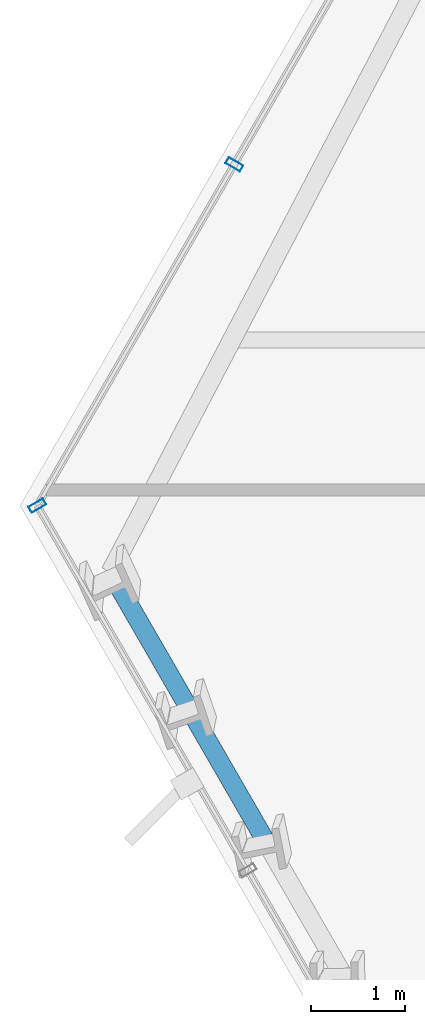
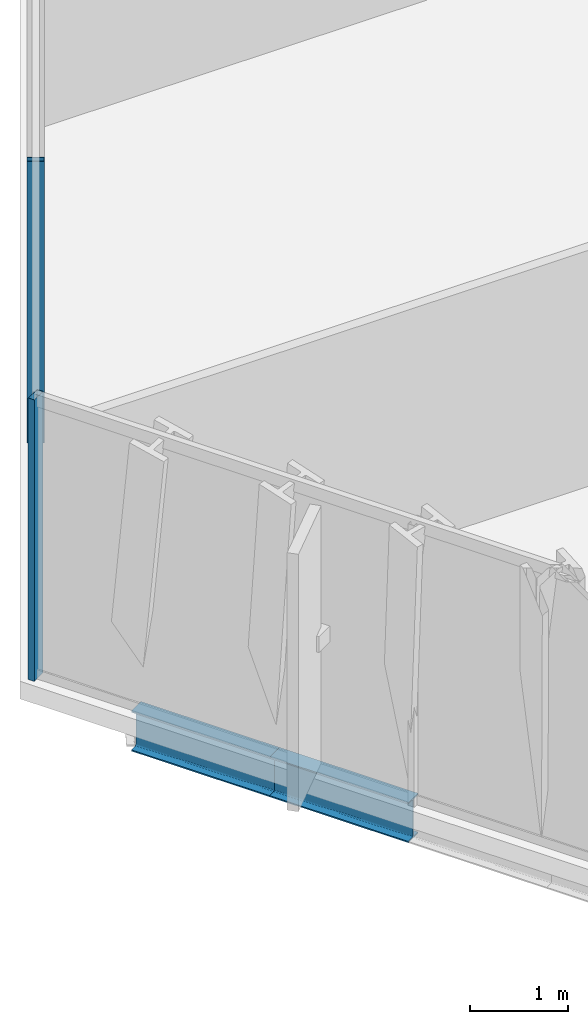
# One storey, part 5 of 31: 2 beams, 2 members, 2 elements without a shape of their own.
"""IFC4 building model written with IfcOpenShell, lengths in metres."""

import ifcopenshell
import ifcopenshell.guid

model = None  # the IFC model being written
_history = None  # IfcOwnerHistory: only IFC2X3 demands one
_inside = {}  # id of a spatial element -> (the spatial element, [elements in it])
_under = {}  # id of a project, library or spatial element -> (it, [spatial elements below it])
_declared = {}  # id of a project -> (the project, [libraries it declares])
_typed = {}  # id of a type object -> (the type object, [elements of that type])
_made_of = {}  # id of a material, layer set ... -> (it, [elements and type objects made of it])


def new_model(schema):
    """Start an empty IFC model of exactly this schema.

    Asked for "IFC4X3", IfcOpenShell would pick the latest addendum, in which some entities
    have other attributes; the version numbers below select the first issue.
    IFC2X3 requires an IfcOwnerHistory on every rooted entity: one is made here for all.
    """
    global model, _history
    if schema == "IFC4X3":
        model = ifcopenshell.file(schema_version=(4, 3, 0, 0))
    else:
        model = ifcopenshell.file(schema=schema)
    _inside.clear()
    _under.clear()
    _declared.clear()
    _typed.clear()
    _made_of.clear()
    _history = None
    if model.schema == "IFC2X3":
        org = make("IfcOrganization", Name="unknown")
        user = make(
            "IfcPersonAndOrganization",
            ThePerson=make("IfcPerson", FamilyName="unknown"),
            TheOrganization=org,
        )
        app = make(
            "IfcApplication",
            ApplicationDeveloper=org,
            Version="unknown",
            ApplicationFullName="unknown",
            ApplicationIdentifier="unknown",
        )
        _history = make(
            "IfcOwnerHistory",
            OwningUser=user,
            OwningApplication=app,
            ChangeAction="ADDED",
            CreationDate=0,
        )
    return model


def make(cls, **values):
    """One entity of the class cls with the attributes given. An attribute that is None is left unset."""
    return model.create_entity(
        cls, **{name: value for name, value in values.items() if value is not None}
    )


def rooted(cls, **values):
    """An entity with a GlobalId (a new one), such as an element, a storey or a relation."""
    return make(cls, GlobalId=ifcopenshell.guid.new(), OwnerHistory=_history, **values)


def si_unit(unit_type, name, prefix=None):
    """IfcSIUnit, for example si_unit("LENGTHUNIT", "METRE", prefix="MILLI")."""
    return make("IfcSIUnit", UnitType=unit_type, Prefix=prefix, Name=name)


def assignment(units):
    """IfcUnitAssignment: the units of a project."""
    return None if units is None else make("IfcUnitAssignment", Units=units)


def point(xyz):
    """IfcCartesianPoint."""
    return None if xyz is None else make("IfcCartesianPoint", Coordinates=xyz)


def direction(xyz):
    """IfcDirection."""
    return None if xyz is None else make("IfcDirection", DirectionRatios=xyz)


def frame(location, z_axis=None, x_axis=None):
    """IfcAxis2Placement3D, a coordinate frame: its origin and axes. An axis left out is left unset."""
    return make(
        "IfcAxis2Placement3D",
        Location=point(location),
        Axis=direction(z_axis),
        RefDirection=direction(x_axis),
    )


def frame_2d(location, x_axis=None):
    """IfcAxis2Placement2D, a coordinate frame in the plane: its origin and x axis."""
    return make(
        "IfcAxis2Placement2D", Location=point(location), RefDirection=direction(x_axis)
    )


def origin():
    """The frame at (0, 0, 0) with its axes left unset."""
    return frame((0.0, 0.0, 0.0))


def origin_2d():
    """The frame at (0, 0) in the plane with its x axis left unset."""
    return frame_2d((0.0, 0.0))


def place(relative_to, where):
    """IfcLocalPlacement: puts the frame where relative to a parent placement (None: the world)."""
    return make(
        "IfcLocalPlacement", PlacementRelTo=relative_to, RelativePlacement=where
    )


def context(
    kind, dimensions, precision=None, world=None, true_north=None, identifier=None
):
    """IfcGeometricRepresentationContext, for example the 3D "Model" context."""
    return make(
        "IfcGeometricRepresentationContext",
        ContextIdentifier=identifier,
        ContextType=kind,
        CoordinateSpaceDimension=dimensions,
        Precision=precision,
        WorldCoordinateSystem=world,
        TrueNorth=true_north,
    )


def subcontext(parent, identifier, kind, view, scale=None):
    """IfcGeometricRepresentationSubContext, for example "Body" below "Model"."""
    return make(
        "IfcGeometricRepresentationSubContext",
        ContextIdentifier=identifier,
        ContextType=kind,
        ParentContext=parent,
        TargetScale=scale,
        TargetView=view,
    )


def project(units=None, contexts=None):
    """IfcProject with its units and contexts."""
    return rooted(
        "IfcProject",
        Name="project",
        RepresentationContexts=contexts,
        UnitsInContext=assignment(units),
    )


def spatial(cls, under=None, at=None, **own):
    """A site, building, storey or space (cls), placed at a placement, below another one or the project."""
    s = rooted(cls, ObjectPlacement=at, **own)
    if under is not None:
        _under.setdefault(under.id(), (under, []))[1].append(s)
    return s


def profile(cls, at=None, kind="AREA", **sizes):
    """A parametric profile (cls). Its sizes go by their IFC names, for example OverallWidth=200.0."""
    return make(cls, ProfileType=kind, Position=at, **sizes)


def hollow_rectangle(**sizes):
    """IfcRectangleHollowProfileDef."""
    return profile("IfcRectangleHollowProfileDef", **sizes)


def i_section(**sizes):
    """IfcIShapeProfileDef."""
    return profile("IfcIShapeProfileDef", **sizes)


def extrude(swept, where, along, depth):
    """IfcExtrudedAreaSolid: the profile swept, set in the frame where, extruded along a direction by depth."""
    return make(
        "IfcExtrudedAreaSolid",
        SweptArea=swept,
        Position=where,
        ExtrudedDirection=direction(along),
        Depth=depth,
    )


def shape(context_of_items, identifier, shape_type, items):
    """IfcShapeRepresentation: the items that make up one representation, for example the "Body"."""
    return make(
        "IfcShapeRepresentation",
        ContextOfItems=context_of_items,
        RepresentationIdentifier=identifier,
        RepresentationType=shape_type,
        Items=items,
    )


def material(Name=None, Category=None):
    """IfcMaterial."""
    return make("IfcMaterial", Name=Name, Category=Category)


def layer(
    of_material, thickness, ventilated=None, Name=None, Category=None, Priority=None
):
    """IfcMaterialLayer: one layer of a wall or slab, of a material (None: an air gap)."""
    return make(
        "IfcMaterialLayer",
        Material=of_material,
        LayerThickness=thickness,
        IsVentilated=ventilated,
        Name=Name,
        Category=Category,
        Priority=Priority,
    )


def layer_set(layers, Name=None):
    """IfcMaterialLayerSet."""
    return make("IfcMaterialLayerSet", MaterialLayers=layers, LayerSetName=Name)


def material_profile(
    of_material, cross_section, Name=None, Category=None, Priority=None
):
    """IfcMaterialProfile: a cross section and its material."""
    return make(
        "IfcMaterialProfile",
        Name=Name,
        Material=of_material,
        Profile=cross_section,
        Priority=Priority,
        Category=Category,
    )


def profile_set(profiles, Name=None, composite=None):
    """IfcMaterialProfileSet."""
    return make(
        "IfcMaterialProfileSet",
        Name=Name,
        MaterialProfiles=profiles,
        CompositeProfile=composite,
    )


def made_of(thing, what):
    """Note that an element or type object is made of a material, layer set ...; save() writes the relation."""
    if what is not None:
        _made_of.setdefault(what.id(), (what, []))[1].append(thing)
    return thing


def type_object(cls, material=None, **own):
    """A type object (cls), such as IfcWallType, which elements share."""
    return made_of(rooted(cls, **own), material)


def element(
    cls,
    number,
    at=None,
    inside=None,
    cuts=None,
    type_object=None,
    material=None,
    context=None,
    identifier="Body",
    shape_type=None,
    held_by="IfcProductDefinitionShape",
    body=None,
    shapes=None,
    **own,
):
    """One element of the class cls, such as IfcWall. Its Tag is "e" and its number.

    at: its placement. inside: the storey or other place that contains it. cuts: it is an
    opening in that element (IfcRelVoidsElement). A single representation is given by context,
    identifier, shape_type and body (its items); several are given by shapes. held_by: the class
    of the entity that holds the representations. save() writes the other relations.
    """
    e = rooted(cls, Tag="e%d" % number, ObjectPlacement=at, **own)
    if body is not None:
        shapes = [shape(context, identifier, shape_type, body)]
    if shapes is not None:
        e.Representation = make(held_by, Representations=shapes)
    if inside is not None:
        _inside.setdefault(inside.id(), (inside, []))[1].append(e)
    if cuts is not None:
        rooted(
            "IfcRelVoidsElement", RelatingBuildingElement=cuts, RelatedOpeningElement=e
        )
    if type_object is not None:
        _typed.setdefault(type_object.id(), (type_object, []))[1].append(e)
    return made_of(e, material)


def aggregate(whole, parts):
    """IfcRelAggregates: a whole, such as a stair, and the parts it consists of."""
    return rooted("IfcRelAggregates", RelatingObject=whole, RelatedObjects=parts)


def save(model, path):
    """Write the relations noted so far, then the file.

    IfcRelAggregates (storeys below a building ...), IfcRelContainedInSpatialStructure (elements
    in a storey), IfcRelDefinesByType, IfcRelAssociatesMaterial and IfcRelDeclares: one each for
    every whole, place, type object, material and project.
    """
    for whole, parts in _under.values():
        aggregate(whole, parts)
    for where, things in _inside.values():
        rooted(
            "IfcRelContainedInSpatialStructure",
            RelatedElements=things,
            RelatingStructure=where,
        )
    for kind, things in _typed.values():
        rooted("IfcRelDefinesByType", RelatedObjects=things, RelatingType=kind)
    for what, things in _made_of.values():
        rooted("IfcRelAssociatesMaterial", RelatedObjects=things, RelatingMaterial=what)
    for by, libraries in _declared.values():
        rooted("IfcRelDeclares", RelatingContext=by, RelatedDefinitions=libraries)
    model.write(path)


model = new_model("IFC4")

# Units and contexts
model_context = context("Model", 3, precision=1e-05, world=origin(), true_north=direction((0.0, 1.0)))
body_context = subcontext(model_context, "Body", "Model", "MODEL_VIEW")
ifc_project = project(units=[si_unit("LENGTHUNIT", "METRE"), si_unit("AREAUNIT", "SQUARE_METRE"), si_unit("VOLUMEUNIT", "CUBIC_METRE"), si_unit("PLANEANGLEUNIT", "RADIAN"), si_unit("MASSUNIT", "GRAM", prefix="KILO")], contexts=[model_context])

# Site, building, storey
site_placement = place(None, origin())
site = spatial("IfcSite", under=ifc_project, at=site_placement, CompositionType="ELEMENT")
building_placement = place(site_placement, origin())
building = spatial("IfcBuilding", under=site, at=building_placement, Name="Ndaravel Arena Tower", CompositionType="ELEMENT")
storey_placement = place(building_placement, frame((0.0, 0.0, 108.199951171875)))
storey = spatial("IfcBuildingStorey", under=building, at=storey_placement, Name="L25", CompositionType="ELEMENT", Elevation=108.199951171875)

# Beams
ifc_material_1 = material(Name="Steel S355", Category="steel")
ifc_material_profile_1 = material_profile(ifc_material_1, i_section(OverallWidth=0.199951171875, OverallDepth=0.5, WebThickness=0.01025390625, FlangeThickness=0.01611328125, FilletRadius=0.02099609375, at=origin_2d()), Name="IPE 500")
ifc_profile_set_1 = profile_set([ifc_material_profile_1], Name="Steel S355")
beam_type = type_object("IfcBeamType", Name="BM-SPAN-IPE500", PredefinedType="SPANDREL", material=ifc_profile_set_1)
for number, where, z_axis, x_axis, name in (
    (1, (19.221923828125, 16.123291015625, -0.469970703125), (0.499984679161, -0.866034249094, 0.0), (0.866034249094, 0.499984679161, 0.0), "L25 Perimeter Spandrel Beam SP-20"),
    (2, (20.041259765625, 14.7041015625, -0.469970703125), (0.499984679161, -0.866034249094, 0.0), (0.866034249094, 0.499984679161, 0.0), "L25 Perimeter Spandrel Beam SP-21"),
):
    element("IfcBeam", number, at=place(storey_placement, frame(where, z_axis=z_axis, x_axis=x_axis)), inside=storey, type_object=beam_type, Name=name, PredefinedType="SPANDREL", context=body_context, shape_type="SweptSolid", body=[
        extrude(i_section(OverallWidth=0.199951171875, OverallDepth=0.5, WebThickness=0.01025390625, FlangeThickness=0.01611328125, FilletRadius=0.02099609375, at=origin_2d()), origin(), (0.0, 0.0, 1.0), 1.638671875),
    ])

# Curtain wall, member
ifc_material_2 = material(Name="Aluminium", Category="aluminium")
ifc_layer_1 = layer(ifc_material_2, 0.179931640625)
ifc_layer_set_1 = layer_set([ifc_layer_1], Name="Aluminium")
curtain_wall_type_1 = type_object("IfcCurtainWallType", Name="CW-SYS-03", PredefinedType="NOTDEFINED", material=ifc_layer_set_1)
curtain_wall_1_placement = place(storey_placement, origin())
curtain_wall_1 = element("IfcCurtainWall", 3, at=curtain_wall_1_placement, inside=storey, type_object=curtain_wall_type_1, Name="L25 Faceted Crystal Curtain Wall CW-L25-E05", PredefinedType="NOTDEFINED")
ifc_material_3 = material(Name="Aluminium", Category="aluminium")
ifc_material_profile_2 = material_profile(ifc_material_3, hollow_rectangle(XDim=0.074951171875, YDim=0.179931640625, WallThickness=0.00390625, at=origin_2d()), Name="CW MULLION 75x180x4")
ifc_profile_set_2 = profile_set([ifc_material_profile_2], Name="Aluminium")
member_type = type_object("IfcMemberType", Name="MEM-CW-MUL180", PredefinedType="MULLION", material=ifc_profile_set_2)
member_1_placement = place(storey_placement, frame((20.544921875, 20.47412109375, 0.0), z_axis=(0.0, 0.0, 1.0), x_axis=(-0.5, -0.866025403784, 0.0)))
member_1 = element("IfcMember", 4, at=member_1_placement, type_object=member_type, Name="CW-L25-E05 Mullion 07", PredefinedType="MULLION", context=body_context, shape_type="SweptSolid", body=[
    extrude(hollow_rectangle(XDim=0.074951171875, YDim=0.179931640625, WallThickness=0.00390625, at=origin_2d()), origin(), (0.0, 0.0, 1.0), 3.52001953125),
])
aggregate(curtain_wall_1, [member_1])

ifc_material_4 = material(Name="Aluminium", Category="aluminium")
ifc_layer_2 = layer(ifc_material_4, 0.179931640625)
ifc_layer_set_2 = layer_set([ifc_layer_2], Name="Aluminium")
curtain_wall_type_2 = type_object("IfcCurtainWallType", Name="CW-SYS-02", PredefinedType="NOTDEFINED", material=ifc_layer_set_2)
curtain_wall_2_placement = place(storey_placement, origin())
curtain_wall_2 = element("IfcCurtainWall", 5, at=curtain_wall_2_placement, inside=storey, type_object=curtain_wall_type_2, Name="L25 Faceted Crystal Curtain Wall CW-L25-E06", PredefinedType="NOTDEFINED")
member_2_placement = place(storey_placement, frame((18.442626953125, 16.832763671875, 0.0), z_axis=(0.0, 0.0, 1.0), x_axis=(0.5, -0.866025403784, 0.0)))
member_2 = element("IfcMember", 6, at=member_2_placement, type_object=member_type, Name="CW-L25-E06 Mullion 00", PredefinedType="MULLION", context=body_context, shape_type="SweptSolid", body=[
    extrude(hollow_rectangle(XDim=0.074951171875, YDim=0.179931640625, WallThickness=0.00390625, at=origin_2d()), origin(), (0.0, 0.0, 1.0), 3.52001953125),
])
aggregate(curtain_wall_2, [member_2])

save(model, "model.ifc")
